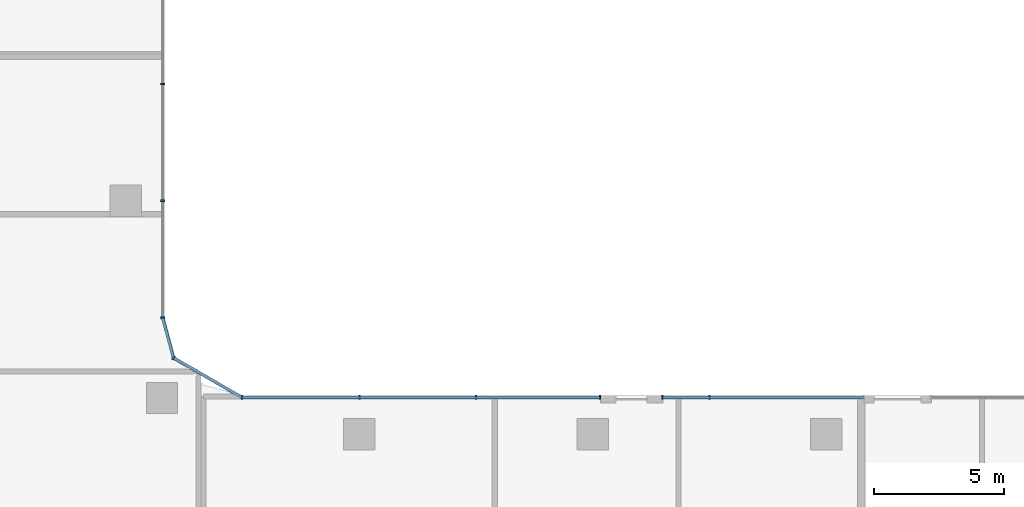
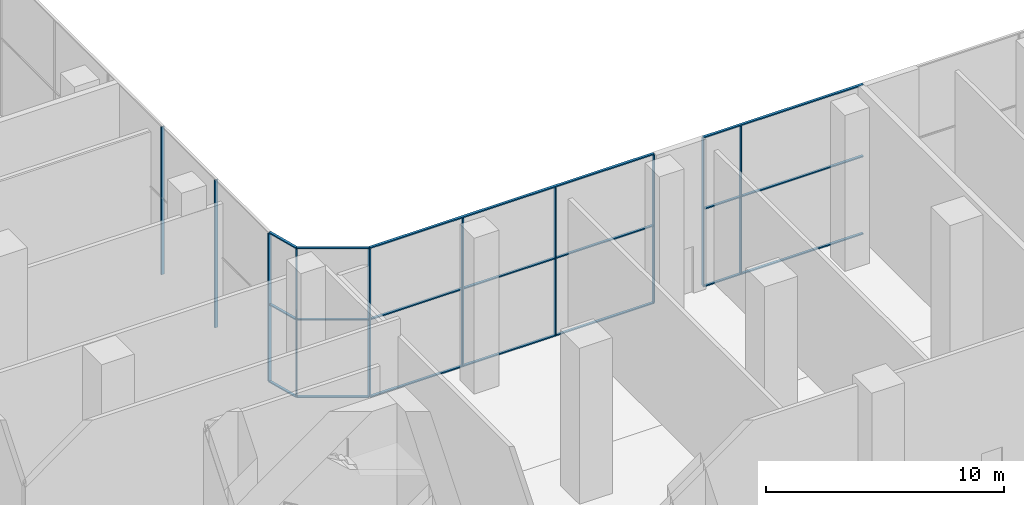
# One storey, part 8 of 54: 22 members, 4 elements without a shape of their own.
"""IFC4 building model written with IfcOpenShell, lengths in metres."""

from ifc_helpers import new_model, si_unit, direction, frame, origin, origin_2d, place, context, subcontext, project, spatial, rectangle, extrude, material, material_profile, profile_set, type_object, element, aggregate, save


model = new_model("IFC4")

# Units and contexts
model_context = context("Model", 3, precision=1e-05, world=origin(), true_north=direction((0.0, 1.0)))
body_context = subcontext(model_context, "Body", "Model", "MODEL_VIEW")
ifc_project = project(units=[si_unit("LENGTHUNIT", "METRE"), si_unit("AREAUNIT", "SQUARE_METRE"), si_unit("VOLUMEUNIT", "CUBIC_METRE"), si_unit("PLANEANGLEUNIT", "RADIAN"), si_unit("MASSUNIT", "GRAM", prefix="KILO")], contexts=[model_context])

# Site, building, storey
site_placement = place(None, origin())
site = spatial("IfcSite", under=ifc_project, at=site_placement, CompositionType="ELEMENT")
building_placement = place(site_placement, origin())
building = spatial("IfcBuilding", under=site, at=building_placement, Name="Ogive Portal Towers", CompositionType="ELEMENT")
storey_placement = place(building_placement, origin())
storey = spatial("IfcBuildingStorey", under=building, at=storey_placement, Name="L00", CompositionType="ELEMENT", Elevation=0.0)

# Curtain wall, members
ifc_material_1 = material(Name="Glass, clear low-iron insulated glazing", Category="glass")
curtain_wall_type = type_object("IfcCurtainWallType", Name="CW PODIUM SHOPFRONT", PredefinedType="NOTDEFINED", material=ifc_material_1)
curtain_wall_1_placement = place(storey_placement, origin())
curtain_wall_1 = element("IfcCurtainWall", 1, at=curtain_wall_1_placement, inside=storey, type_object=curtain_wall_type, Name="A:L00:f08:cw1", PredefinedType="NOTDEFINED")
ifc_material_2 = material(Name="Aluminium 6063 anodised", Category="aluminium")
ifc_material_profile_1 = material_profile(ifc_material_2, rectangle(XDim=0.159912109375, YDim=0.06005859375, at=origin_2d()), Name="AL 60x160")
ifc_profile_set_1 = profile_set([ifc_material_profile_1], Name="Aluminium 6063 anodised")
member_type_1 = type_object("IfcMemberType", Name="CW MULLION 60x160", PredefinedType="MULLION", material=ifc_profile_set_1)
member_1_placement = place(storey_placement, frame((81.0, 49.919921875, 0.06005859375), z_axis=(0.0, 0.0, 1.0), x_axis=(0.0, -1.0, 0.0)))
member_1 = element("IfcMember", 2, at=member_1_placement, type_object=member_type_1, Name="mullion", PredefinedType="MULLION", context=body_context, shape_type="SweptSolid", body=[
    extrude(rectangle(XDim=0.159912109375, YDim=0.06005859375, at=origin_2d()), origin(), (0.0, 0.0, 1.0), 7.579833984375),
])
member_2_placement = place(storey_placement, frame((79.1826171875, 49.919921875, 0.06005859375), z_axis=(0.0, 0.0, 1.0), x_axis=(0.0, -1.0, 0.0)))
member_2 = element("IfcMember", 3, at=member_2_placement, type_object=member_type_1, Name="mullion", PredefinedType="MULLION", context=body_context, shape_type="SweptSolid", body=[
    extrude(rectangle(XDim=0.159912109375, YDim=0.06005859375, at=origin_2d()), origin(), (0.0, 0.0, 1.0), 7.579833984375),
])

curtain_wall_2_placement = place(storey_placement, origin())
curtain_wall_2 = element("IfcCurtainWall", 4, at=curtain_wall_2_placement, inside=storey, type_object=curtain_wall_type, Name="A:L00:f08:cw2", PredefinedType="NOTDEFINED")
member_3_placement = place(storey_placement, frame((76.781982421875, 49.919921875, 0.06005859375), z_axis=(0.0, 0.0, 1.0), x_axis=(0.0, -1.0, 0.0)))
member_3 = element("IfcMember", 5, at=member_3_placement, type_object=member_type_1, Name="mullion", PredefinedType="MULLION", context=body_context, shape_type="SweptSolid", body=[
    extrude(rectangle(XDim=0.159912109375, YDim=0.06005859375, at=origin_2d()), origin(), (0.0, 0.0, 1.0), 7.579833984375),
])
member_4_placement = place(storey_placement, frame((72.0, 49.919921875, 0.06005859375), z_axis=(0.0, 0.0, 1.0), x_axis=(0.0, -1.0, 0.0)))
member_4 = element("IfcMember", 6, at=member_4_placement, type_object=member_type_1, Name="mullion", PredefinedType="MULLION", context=body_context, shape_type="SweptSolid", body=[
    extrude(rectangle(XDim=0.159912109375, YDim=0.06005859375, at=origin_2d()), origin(), (0.0, 0.0, 1.0), 7.579833984375),
])
member_5_placement = place(storey_placement, frame((67.5, 49.919921875, 0.06005859375), z_axis=(0.0, 0.0, 1.0), x_axis=(0.0, -1.0, 0.0)))
member_5 = element("IfcMember", 7, at=member_5_placement, type_object=member_type_1, Name="mullion", PredefinedType="MULLION", context=body_context, shape_type="SweptSolid", body=[
    extrude(rectangle(XDim=0.159912109375, YDim=0.06005859375, at=origin_2d()), origin(), (0.0, 0.0, 1.0), 7.579833984375),
])
member_6_placement = place(storey_placement, frame((62.978515625, 49.919921875, 0.06005859375), z_axis=(0.0, 0.0, 1.0), x_axis=(0.0, -1.0, 0.0)))
member_6 = element("IfcMember", 8, at=member_6_placement, type_object=member_type_1, Name="mullion", PredefinedType="MULLION", context=body_context, shape_type="SweptSolid", body=[
    extrude(rectangle(XDim=0.159912109375, YDim=0.06005859375, at=origin_2d()), origin(), (0.0, 0.0, 1.0), 7.579833984375),
])

curtain_wall_3_placement = place(storey_placement, origin())
curtain_wall_3 = element("IfcCurtainWall", 9, at=curtain_wall_3_placement, inside=storey, type_object=curtain_wall_type, Name="A:L00:f11:cw0", PredefinedType="NOTDEFINED")
member_7_placement = place(storey_placement, frame((59.919921875, 52.989501953125, 0.06005859375), z_axis=(0.0, 0.0, 1.0), x_axis=(-1.0, 0.0, 0.0)))
member_7 = element("IfcMember", 10, at=member_7_placement, type_object=member_type_1, Name="mullion", PredefinedType="MULLION", context=body_context, shape_type="SweptSolid", body=[
    extrude(rectangle(XDim=0.159912109375, YDim=0.06005859375, at=origin_2d()), origin(), (0.0, 0.0, 1.0), 7.579833984375),
])
member_8_placement = place(storey_placement, frame((59.919921875, 57.5, 0.06005859375), z_axis=(0.0, 0.0, 1.0), x_axis=(-1.0, 0.0, 0.0)))
member_8 = element("IfcMember", 11, at=member_8_placement, type_object=member_type_1, Name="mullion", PredefinedType="MULLION", context=body_context, shape_type="SweptSolid", body=[
    extrude(rectangle(XDim=0.159912109375, YDim=0.06005859375, at=origin_2d()), origin(), (0.0, 0.0, 1.0), 7.579833984375),
])
member_9_placement = place(storey_placement, frame((59.919921875, 62.0, 0.06005859375), z_axis=(0.0, 0.0, 1.0), x_axis=(-1.0, 0.0, 0.0)))
member_9 = element("IfcMember", 12, at=member_9_placement, type_object=member_type_1, Name="mullion", PredefinedType="MULLION", context=body_context, shape_type="SweptSolid", body=[
    extrude(rectangle(XDim=0.159912109375, YDim=0.06005859375, at=origin_2d()), origin(), (0.0, 0.0, 1.0), 7.579833984375),
])
aggregate(curtain_wall_3, [member_7, member_8, member_9])

# Curtain wall, member
curtain_wall_4_placement = place(storey_placement, origin())
curtain_wall_4 = element("IfcCurtainWall", 13, at=curtain_wall_4_placement, inside=storey, type_object=curtain_wall_type, Name="A:L00:f09:cwa", PredefinedType="NOTDEFINED")
member_10_placement = place(storey_placement, frame((60.333251953125, 51.447265625, 0.06005859375), z_axis=(0.0, 0.0, 1.0), x_axis=(-0.5, -0.866025403784, 0.0)))
member_10 = element("IfcMember", 14, at=member_10_placement, type_object=member_type_1, Name="mullion", PredefinedType="MULLION", context=body_context, shape_type="SweptSolid", body=[
    extrude(rectangle(XDim=0.159912109375, YDim=0.06005859375, at=origin_2d()), origin(), (0.0, 0.0, 1.0), 7.579833984375),
])

# Member
ifc_material_profile_2 = material_profile(ifc_material_2, rectangle(XDim=0.1201171875, YDim=0.06005859375, at=origin_2d()), Name="AL 120x60")
ifc_profile_set_2 = profile_set([ifc_material_profile_2], Name="Aluminium 6063 anodised")
member_type_2 = type_object("IfcMemberType", Name="CW TRANSOM 60x120", PredefinedType="USERDEFINED", material=ifc_profile_set_2)
member_11_placement = place(storey_placement, frame((86.934326171875, 49.919921875, 0.030029296875), z_axis=(-1.0, 0.0, 0.0), x_axis=(0.0, -1.0, 0.0)))
member_11 = element("IfcMember", 15, at=member_11_placement, type_object=member_type_2, Name="transom", ObjectType="TRANSOM", PredefinedType="USERDEFINED", context=body_context, shape_type="SweptSolid", body=[
    extrude(rectangle(XDim=0.1201171875, YDim=0.06005859375, at=origin_2d()), origin(), (0.0, 0.0, 1.0), 7.751708984375),
])

member_12_placement = place(storey_placement, frame((86.934326171875, 49.919921875, 4.0), z_axis=(-1.0, 0.0, 0.0), x_axis=(0.0, -1.0, 0.0)))
member_12 = element("IfcMember", 16, at=member_12_placement, type_object=member_type_2, Name="transom", ObjectType="TRANSOM", PredefinedType="USERDEFINED", context=body_context, shape_type="SweptSolid", body=[
    extrude(rectangle(XDim=0.1201171875, YDim=0.06005859375, at=origin_2d()), origin(), (0.0, 0.0, 1.0), 7.751708984375),
])

member_13_placement = place(storey_placement, frame((86.934326171875, 49.919921875, 7.669921875), z_axis=(-1.0, 0.0, 0.0), x_axis=(0.0, -1.0, 0.0)))
member_13 = element("IfcMember", 17, at=member_13_placement, type_object=member_type_2, Name="transom", ObjectType="TRANSOM", PredefinedType="USERDEFINED", context=body_context, shape_type="SweptSolid", body=[
    extrude(rectangle(XDim=0.1201171875, YDim=0.06005859375, at=origin_2d()), origin(), (0.0, 0.0, 1.0), 7.751708984375),
])

aggregate(curtain_wall_1, [member_11, member_12, member_13, member_1, member_2])

member_14_placement = place(storey_placement, frame((76.781982421875, 49.919921875, 0.030029296875), z_axis=(-1.0, 0.0, 0.0), x_axis=(0.0, -1.0, 0.0)))
member_14 = element("IfcMember", 18, at=member_14_placement, type_object=member_type_2, Name="transom", ObjectType="TRANSOM", PredefinedType="USERDEFINED", context=body_context, shape_type="SweptSolid", body=[
    extrude(rectangle(XDim=0.1201171875, YDim=0.06005859375, at=origin_2d()), origin(), (0.0, 0.0, 1.0), 13.803466796875),
])

member_15_placement = place(storey_placement, frame((76.781982421875, 49.919921875, 4.0), z_axis=(-1.0, 0.0, 0.0), x_axis=(0.0, -1.0, 0.0)))
member_15 = element("IfcMember", 19, at=member_15_placement, type_object=member_type_2, Name="transom", ObjectType="TRANSOM", PredefinedType="USERDEFINED", context=body_context, shape_type="SweptSolid", body=[
    extrude(rectangle(XDim=0.1201171875, YDim=0.06005859375, at=origin_2d()), origin(), (0.0, 0.0, 1.0), 13.803466796875),
])

member_16_placement = place(storey_placement, frame((76.781982421875, 49.919921875, 7.669921875), z_axis=(-1.0, 0.0, 0.0), x_axis=(0.0, -1.0, 0.0)))
member_16 = element("IfcMember", 20, at=member_16_placement, type_object=member_type_2, Name="transom", ObjectType="TRANSOM", PredefinedType="USERDEFINED", context=body_context, shape_type="SweptSolid", body=[
    extrude(rectangle(XDim=0.1201171875, YDim=0.06005859375, at=origin_2d()), origin(), (0.0, 0.0, 1.0), 13.803466796875),
])

aggregate(curtain_wall_2, [member_14, member_15, member_16, member_3, member_4, member_5, member_6])

member_17_placement = place(storey_placement, frame((62.978515625, 49.919921875, 0.030029296875), z_axis=(-0.866011219312, 0.500024567422, 0.0), x_axis=(-0.500024567422, -0.866011219312, 0.0)))
member_17 = element("IfcMember", 21, at=member_17_placement, type_object=member_type_2, Name="transom", ObjectType="TRANSOM", PredefinedType="USERDEFINED", context=body_context, shape_type="SweptSolid", body=[
    extrude(rectangle(XDim=0.1201171875, YDim=0.06005859375, at=origin_2d()), origin(), (0.0, 0.0, 1.0), 3.054443359375),
])

member_18_placement = place(storey_placement, frame((62.978515625, 49.919921875, 4.0), z_axis=(-0.866011219312, 0.500024567422, 0.0), x_axis=(-0.500024567422, -0.866011219312, 0.0)))
member_18 = element("IfcMember", 22, at=member_18_placement, type_object=member_type_2, Name="transom", ObjectType="TRANSOM", PredefinedType="USERDEFINED", context=body_context, shape_type="SweptSolid", body=[
    extrude(rectangle(XDim=0.1201171875, YDim=0.06005859375, at=origin_2d()), origin(), (0.0, 0.0, 1.0), 3.054443359375),
])

member_19_placement = place(storey_placement, frame((62.978515625, 49.919921875, 7.669921875), z_axis=(-0.866011219312, 0.500024567422, 0.0), x_axis=(-0.500024567422, -0.866011219312, 0.0)))
member_19 = element("IfcMember", 23, at=member_19_placement, type_object=member_type_2, Name="transom", ObjectType="TRANSOM", PredefinedType="USERDEFINED", context=body_context, shape_type="SweptSolid", body=[
    extrude(rectangle(XDim=0.1201171875, YDim=0.06005859375, at=origin_2d()), origin(), (0.0, 0.0, 1.0), 3.054443359375),
])

member_20_placement = place(storey_placement, frame((60.333251953125, 51.447265625, 0.030029296875), z_axis=(-0.258871110129, 0.965911874003, 0.0), x_axis=(-0.965911874003, -0.258871110129, 0.0)))
member_20 = element("IfcMember", 24, at=member_20_placement, type_object=member_type_2, Name="transom", ObjectType="TRANSOM", PredefinedType="USERDEFINED", context=body_context, shape_type="SweptSolid", body=[
    extrude(rectangle(XDim=0.1201171875, YDim=0.06005859375, at=origin_2d()), origin(), (0.0, 0.0, 1.0), 1.5966796875),
])

member_21_placement = place(storey_placement, frame((60.333251953125, 51.447265625, 4.0), z_axis=(-0.258871110129, 0.965911874003, 0.0), x_axis=(-0.965911874003, -0.258871110129, 0.0)))
member_21 = element("IfcMember", 25, at=member_21_placement, type_object=member_type_2, Name="transom", ObjectType="TRANSOM", PredefinedType="USERDEFINED", context=body_context, shape_type="SweptSolid", body=[
    extrude(rectangle(XDim=0.1201171875, YDim=0.06005859375, at=origin_2d()), origin(), (0.0, 0.0, 1.0), 1.5966796875),
])

member_22_placement = place(storey_placement, frame((60.333251953125, 51.447265625, 7.669921875), z_axis=(-0.258871110129, 0.965911874003, 0.0), x_axis=(-0.965911874003, -0.258871110129, 0.0)))
member_22 = element("IfcMember", 26, at=member_22_placement, type_object=member_type_2, Name="transom", ObjectType="TRANSOM", PredefinedType="USERDEFINED", context=body_context, shape_type="SweptSolid", body=[
    extrude(rectangle(XDim=0.1201171875, YDim=0.06005859375, at=origin_2d()), origin(), (0.0, 0.0, 1.0), 1.5966796875),
])

aggregate(curtain_wall_4, [member_17, member_18, member_19, member_20, member_21, member_22, member_10])

save(model, "model.ifc")
